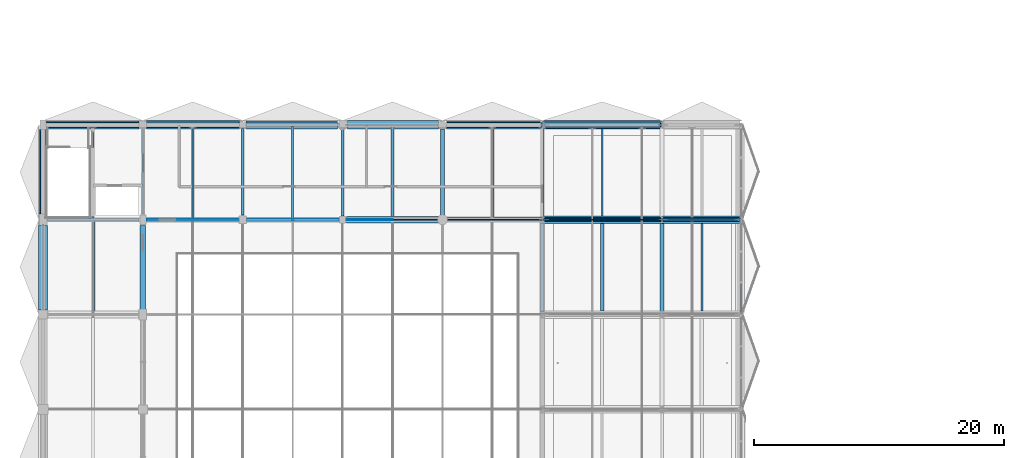
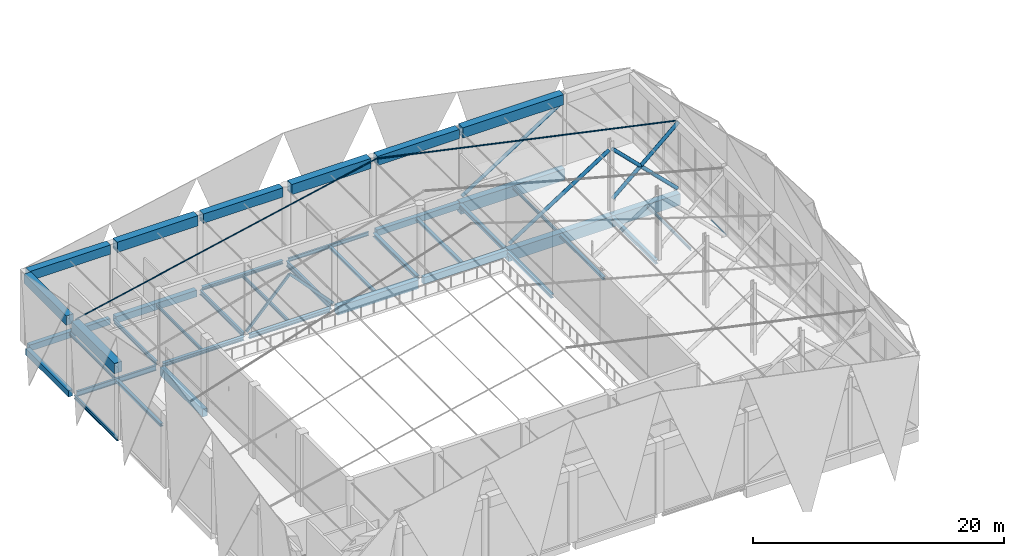
# One storey, part 11 of 46: 40 beams, 9 members, 1 element without a shape of its own.
"""IFC4 building model written with IfcOpenShell, lengths in metres."""

from ifc_helpers import new_model, si_unit, direction, frame, origin, origin_2d, place, context, subcontext, project, spatial, rectangle, hollow_rectangle, circle, hollow_circle, i_section, extrude, material, material_profile, profile_set, type_object, element, aggregate, save


model = new_model("IFC4")

# Units and contexts
model_context = context("Model", 3, precision=1e-05, world=origin(), true_north=direction((0.0, 1.0)))
body_context = subcontext(model_context, "Body", "Model", "MODEL_VIEW")
ifc_project = project(units=[si_unit("LENGTHUNIT", "METRE"), si_unit("AREAUNIT", "SQUARE_METRE"), si_unit("VOLUMEUNIT", "CUBIC_METRE"), si_unit("PLANEANGLEUNIT", "RADIAN"), si_unit("MASSUNIT", "GRAM", prefix="KILO")], contexts=[model_context])

# Site, building, storey
site_placement = place(None, origin())
site = spatial("IfcSite", under=ifc_project, at=site_placement, CompositionType="ELEMENT")
building_placement = place(site_placement, origin())
building = spatial("IfcBuilding", under=site, at=building_placement, Name="Khelvaren Railside Concert Hall", CompositionType="ELEMENT")
storey_placement = place(building_placement, frame((0.0, 0.0, 19.800048828125)))
storey = spatial("IfcBuildingStorey", under=building, at=storey_placement, Name="L04", CompositionType="ELEMENT", Elevation=19.800048828125)

# Beams
ifc_material_1 = material(Name="Steel S355", Category="steel")
ifc_material_profile_1 = material_profile(ifc_material_1, i_section(OverallWidth=0.300048828125, OverallDepth=0.389892578125, WebThickness=0.010986328125, FlangeThickness=0.01904296875, FilletRadius=0.027099609375, at=origin_2d()), Name="HEA 400")
ifc_profile_set_1 = profile_set([ifc_material_profile_1], Name="Steel S355")
beam_type_1 = type_object("IfcBeamType", Name="BM23", PredefinedType="BEAM", material=ifc_profile_set_1)
beam_1_placement = place(storey_placement, frame((16.25, 38.0, -0.465087890625), z_axis=(1.0, 0.0, 0.0), x_axis=(0.0, 1.0, 0.0)))
element("IfcBeam", 1, at=beam_1_placement, inside=storey, type_object=beam_type_1, Name="V1 L04 Beam X6.3", PredefinedType="BEAM", context=body_context, shape_type="SweptSolid", body=[
    extrude(i_section(OverallWidth=0.300048828125, OverallDepth=0.389892578125, WebThickness=0.010986328125, FlangeThickness=0.01904296875, FilletRadius=0.027099609375, at=origin_2d()), origin(), (0.0, 0.0, 1.0), 7.449951171875),
])
for number, where, z_axis, x_axis, name in (
    (2, (40.0, 38.25, -0.465087890625), (0.0, 1.0, 0.0), (-1.0, 0.0, 0.0), "V1 L04 Beam Y6.6"),
    (3, (49.60009765625, 30.64990234375, -0.465087890625), (0.0, 1.0, 0.0), (-1.0, 0.0, 0.0), "V1 L04 Beam Y7.5"),
):
    element("IfcBeam", number, at=place(storey_placement, frame(where, z_axis=z_axis, x_axis=x_axis)), inside=storey, type_object=beam_type_1, Name=name, PredefinedType="BEAM", context=body_context, shape_type="SweptSolid", body=[
        extrude(i_section(OverallWidth=0.300048828125, OverallDepth=0.389892578125, WebThickness=0.010986328125, FlangeThickness=0.01904296875, FilletRadius=0.027099609375, at=origin_2d()), origin(), (0.0, 0.0, 1.0), 7.10009765625),
    ])
ifc_material_profile_2 = material_profile(ifc_material_1, i_section(OverallWidth=0.179931640625, OverallDepth=0.39990234375, WebThickness=0.008544921875, FlangeThickness=0.013427734375, FilletRadius=0.02099609375, at=origin_2d()), Name="IPE 400")
ifc_profile_set_2 = profile_set([ifc_material_profile_2], Name="Steel S355")
beam_type_2 = type_object("IfcBeamType", Name="BM29", PredefinedType="BEAM", material=ifc_profile_set_2)
beam_2_placement = place(storey_placement, frame((8.0, 38.449951171875, -0.469970703125), z_axis=(0.0, 1.0, 0.0), x_axis=(-1.0, 0.0, 0.0)))
element("IfcBeam", 4, at=beam_2_placement, inside=storey, type_object=beam_type_2, Name="V1 L04 Beam Y2.6", PredefinedType="BEAM", context=body_context, shape_type="SweptSolid", body=[
    extrude(i_section(OverallWidth=0.179931640625, OverallDepth=0.39990234375, WebThickness=0.008544921875, FlangeThickness=0.013427734375, FilletRadius=0.02099609375, at=origin_2d()), origin(), (0.0, 0.0, 1.0), 6.775146484375),
])
ifc_material_2 = material(Name="Concrete C40/50", Category="concrete")
ifc_material_profile_3 = material_profile(ifc_material_2, rectangle(XDim=0.39990234375, YDim=0.64990234375, at=origin_2d()), Name="RCB 400x650")
ifc_profile_set_3 = profile_set([ifc_material_profile_3], Name="Concrete C40/50")
beam_type_3 = type_object("IfcBeamType", Name="BM33", PredefinedType="BEAM", material=ifc_profile_set_3)
beam_3_placement = place(storey_placement, frame((32.25, 38.0, -0.594970703125), z_axis=(1.0, 0.0, 0.0), x_axis=(0.0, 1.0, 0.0)))
element("IfcBeam", 5, at=beam_3_placement, inside=storey, type_object=beam_type_3, Name="V1 L04 Beam X6.5", PredefinedType="BEAM", context=body_context, shape_type="SweptSolid", body=[
    extrude(rectangle(XDim=0.39990234375, YDim=0.64990234375, at=origin_2d()), origin(), (0.0, 0.0, 1.0), 7.739990234375),
])
ifc_material_profile_4 = material_profile(ifc_material_1, i_section(OverallWidth=0.199951171875, OverallDepth=0.5, WebThickness=0.01025390625, FlangeThickness=0.01611328125, FilletRadius=0.02099609375, at=origin_2d()), Name="IPE 500")
ifc_profile_set_4 = profile_set([ifc_material_profile_4], Name="Steel S355")
beam_type_4 = type_object("IfcBeamType", Name="BM62", PredefinedType="BEAM", material=ifc_profile_set_4)
beam_4_placement = place(storey_placement, frame((0.35009765625, 38.0, -0.52001953125), z_axis=(1.0, 0.0, 0.0), x_axis=(0.0, 1.0, 0.0)))
element("IfcBeam", 6, at=beam_4_placement, inside=storey, type_object=beam_type_4, Name="V1 L04 Beam X6.1", PredefinedType="BEAM", context=body_context, shape_type="SweptSolid", body=[
    extrude(i_section(OverallWidth=0.199951171875, OverallDepth=0.5, WebThickness=0.01025390625, FlangeThickness=0.01611328125, FilletRadius=0.02099609375, at=origin_2d()), origin(), (0.0, 0.0, 1.0), 7.349853515625),
])
beam_5_placement = place(storey_placement, frame((24.0, 38.300048828125, -0.52001953125), z_axis=(0.0, 1.0, 0.0), x_axis=(-1.0, 0.0, 0.0)))
element("IfcBeam", 7, at=beam_5_placement, inside=storey, type_object=beam_type_4, Name="V1 L04 Beam Y4.6", PredefinedType="BEAM", context=body_context, shape_type="SweptSolid", body=[
    extrude(i_section(OverallWidth=0.199951171875, OverallDepth=0.5, WebThickness=0.01025390625, FlangeThickness=0.01611328125, FilletRadius=0.02099609375, at=origin_2d()), origin(), (0.0, 0.0, 1.0), 7.050048828125),
])
ifc_material_profile_5 = material_profile(ifc_material_1, i_section(OverallWidth=0.300048828125, OverallDepth=0.35009765625, WebThickness=0.010009765625, FlangeThickness=0.017578125, FilletRadius=0.027099609375, at=origin_2d()), Name="HEA 360")
ifc_profile_set_5 = profile_set([ifc_material_profile_5], Name="Steel S355")
beam_type_5 = type_object("IfcBeamType", Name="BM73", PredefinedType="BEAM", material=ifc_profile_set_5)
beam_6_placement = place(storey_placement, frame((8.300048828125, 38.0, -0.445068359375), z_axis=(1.0, 0.0, 0.0), x_axis=(0.0, 1.0, 0.0)))
element("IfcBeam", 8, at=beam_6_placement, inside=storey, type_object=beam_type_5, Name="V1 L04 Beam X6.2", PredefinedType="BEAM", context=body_context, shape_type="SweptSolid", body=[
    extrude(i_section(OverallWidth=0.300048828125, OverallDepth=0.35009765625, WebThickness=0.010009765625, FlangeThickness=0.017578125, FilletRadius=0.027099609375, at=origin_2d()), origin(), (0.0, 0.0, 1.0), 7.449951171875),
])
beam_7_placement = place(storey_placement, frame((32.0, 38.25, -0.445068359375), z_axis=(0.0, 1.0, 0.0), x_axis=(-1.0, 0.0, 0.0)))
element("IfcBeam", 9, at=beam_7_placement, inside=storey, type_object=beam_type_5, Name="V1 L04 Beam Y5.6", PredefinedType="BEAM", context=body_context, shape_type="SweptSolid", body=[
    extrude(i_section(OverallWidth=0.300048828125, OverallDepth=0.35009765625, WebThickness=0.010009765625, FlangeThickness=0.017578125, FilletRadius=0.027099609375, at=origin_2d()), origin(), (0.0, 0.0, 1.0), 7.013916015625),
])
beam_8_placement = place(storey_placement, frame((40.0, 30.64990234375, -0.445068359375), z_axis=(0.0, 1.0, 0.0), x_axis=(-1.0, 0.0, 0.0)))
element("IfcBeam", 10, at=beam_8_placement, inside=storey, type_object=beam_type_5, Name="V1 L04 Beam Y6.5", PredefinedType="BEAM", context=body_context, shape_type="SweptSolid", body=[
    extrude(i_section(OverallWidth=0.300048828125, OverallDepth=0.35009765625, WebThickness=0.010009765625, FlangeThickness=0.017578125, FilletRadius=0.027099609375, at=origin_2d()), origin(), (0.0, 0.0, 1.0), 7.10009765625),
])
ifc_material_profile_6 = material_profile(ifc_material_2, rectangle(XDim=0.449951171875, YDim=0.75, at=origin_2d()), Name="RCB 450x750")
ifc_profile_set_6 = profile_set([ifc_material_profile_6], Name="Concrete C40/50")
beam_type_6 = type_object("IfcBeamType", Name="BM83", PredefinedType="BEAM", material=ifc_profile_set_6)
beam_9_placement = place(storey_placement, frame((8.0, 30.75, -0.64501953125), z_axis=(0.0, 1.0, 0.0), x_axis=(-1.0, 0.0, 0.0)))
element("IfcBeam", 11, at=beam_9_placement, inside=storey, type_object=beam_type_6, Name="V1 L04 Beam Y2.5", PredefinedType="BEAM", context=body_context, shape_type="SweptSolid", body=[
    extrude(rectangle(XDim=0.449951171875, YDim=0.75, at=origin_2d()), origin(), (0.0, 0.0, 1.0), 6.800048828125),
])
ifc_material_profile_7 = material_profile(ifc_material_1, i_section(OverallWidth=0.18994140625, OverallDepth=0.449951171875, WebThickness=0.009521484375, FlangeThickness=0.0146484375, FilletRadius=0.02099609375, at=origin_2d()), Name="IPE 450")
ifc_profile_set_7 = profile_set([ifc_material_profile_7], Name="Steel S355")
beam_type_7 = type_object("IfcBeamType", Name="BM95", PredefinedType="BEAM", material=ifc_profile_set_7)
beam_10_placement = place(storey_placement, frame((16.0, 38.375, -0.4951171875), z_axis=(0.0, 1.0, 0.0), x_axis=(-1.0, 0.0, 0.0)))
element("IfcBeam", 12, at=beam_10_placement, inside=storey, type_object=beam_type_7, Name="V1 L04 Beam Y3.6", PredefinedType="BEAM", context=body_context, shape_type="SweptSolid", body=[
    extrude(i_section(OverallWidth=0.18994140625, OverallDepth=0.449951171875, WebThickness=0.009521484375, FlangeThickness=0.0146484375, FilletRadius=0.02099609375, at=origin_2d()), origin(), (0.0, 0.0, 1.0), 6.925048828125),
])

# Members
ifc_material_profile_8 = material_profile(ifc_material_1, hollow_rectangle(XDim=0.14990234375, YDim=0.25, WallThickness=0.012451171875, InnerFilletRadius=0.012451171875, OuterFilletRadius=0.01904296875, at=origin_2d()), Name="RHS 250x150x12.5")
ifc_profile_set_8 = profile_set([ifc_material_profile_8], Name="Steel S355")
member_type_1 = type_object("IfcMemberType", Name="BR52", PredefinedType="BRACE", material=ifc_profile_set_8)
for number, where, z_axis, x_axis, name in (
    (13, (16.0, 38.0, 0.050048828125), (0.686221263148, 0.0, 0.727392863592), (0.0, 1.0, 0.0), "V1 L04 Seismic Chevron Brace 39"),
    (14, (24.0, 38.0, 0.050048828125), (-0.686221263148, 0.0, 0.727392863592), (0.0, -1.0, 0.0), "V1 L04 Seismic Chevron Brace 40"),
):
    element("IfcMember", number, at=place(storey_placement, frame(where, z_axis=z_axis, x_axis=x_axis)), inside=storey, type_object=member_type_1, Name=name, PredefinedType="BRACE", context=body_context, shape_type="SweptSolid", body=[
        extrude(hollow_rectangle(XDim=0.14990234375, YDim=0.25, WallThickness=0.012451171875, InnerFilletRadius=0.012451171875, OuterFilletRadius=0.01904296875, at=origin_2d()), origin(), (0.0, 0.0, 1.0), 5.8291015625),
    ])
ifc_material_profile_9 = material_profile(ifc_material_1, hollow_circle(Radius=0.161865234375, WallThickness=0.01611328125, at=origin_2d()), Name="CHS 323.9x16")
ifc_profile_set_9 = profile_set([ifc_material_profile_9], Name="Steel S355")
member_type_2 = type_object("IfcMemberType", Name="BR78", PredefinedType="BRACE", material=ifc_profile_set_9)
member_1_placement = place(storey_placement, frame((49.75, 38.0, 6.050048828125), z_axis=(0.710072403589, 0.0, -0.704128668399), x_axis=(0.0, 1.0, 0.0)))
element("IfcMember", 15, at=member_1_placement, inside=storey, type_object=member_type_2, Name="V1 L04 Plaza Cantilever Truss Diagonal 6A", PredefinedType="BRACE", context=body_context, shape_type="SweptSolid", body=[
    extrude(hollow_circle(Radius=0.161865234375, WallThickness=0.01611328125, at=origin_2d()), origin(), (0.0, 0.0, 1.0), 8.37939453125),
])
for number, where, z_axis, x_axis, name in (
    (16, (40.25, 38.0, 0.14990234375), (0.841765139868, 0.0, 0.539843911981), (0.0, 1.0, 0.0), "V1 L04 Plaza Cantilever Truss Backspan Diagonal 6B"),
    (17, (40.25, 45.60009765625, 0.14990234375), (0.841765139868, 0.0, 0.539843911981), (0.0, 1.0, 0.0), "V1 L04 Plaza Cantilever Truss Backspan Diagonal 7B"),
):
    element("IfcMember", number, at=place(storey_placement, frame(where, z_axis=z_axis, x_axis=x_axis)), inside=storey, type_object=member_type_2, Name=name, PredefinedType="BRACE", context=body_context, shape_type="SweptSolid", body=[
        extrude(hollow_circle(Radius=0.161865234375, WallThickness=0.01611328125, at=origin_2d()), origin(), (0.0, 0.0, 1.0), 10.929443359375),
    ])

# Curtain wall, member
ifc_material_3 = material(Name="Double-glazed clear foyer glass", Category="glass")
curtain_wall_type = type_object("IfcCurtainWallType", Name="CW68", PredefinedType="USERDEFINED", material=ifc_material_3)
curtain_wall_placement = place(storey_placement, origin())
curtain_wall = element("IfcCurtainWall", 18, at=curtain_wall_placement, inside=storey, type_object=curtain_wall_type, Name="Unitised Curtain Wall CW-V1-L04-E-30", ObjectType="UNITISED CURTAIN WALL", PredefinedType="USERDEFINED")
ifc_material_4 = material(Name="Anodised architectural aluminium 6063-T6", Category="aluminium")
ifc_material_profile_10 = material_profile(ifc_material_4, hollow_rectangle(XDim=0.06494140625, YDim=0.139892578125, WallThickness=0.00390625, InnerFilletRadius=0.001953125, OuterFilletRadius=0.00390625, at=origin_2d()), Name="CWT 65x140x4")
ifc_profile_set_10 = profile_set([ifc_material_profile_10], Name="Anodised architectural aluminium 6063-T6")
member_type_3 = type_object("IfcMemberType", Name="CWT72", PredefinedType="USERDEFINED", material=ifc_profile_set_10)
member_2_placement = place(storey_placement, frame((55.93994140625, 32.9091796875, 0.032470703125), z_axis=(0.0, -1.0, 0.0), x_axis=(1.0, 0.0, 0.0)))
member_2 = element("IfcMember", 19, at=member_2_placement, type_object=member_type_3, Name="CW68 transom 3.1", ObjectType="TRANSOM", PredefinedType="USERDEFINED", context=body_context, shape_type="SweptSolid", body=[
    extrude(hollow_rectangle(XDim=0.06494140625, YDim=0.139892578125, WallThickness=0.00390625, InnerFilletRadius=0.001953125, OuterFilletRadius=0.00390625, at=origin_2d()), origin(), (0.0, 0.0, 1.0), 2.394287109375),
])
aggregate(curtain_wall, [member_2])

# Beams
ifc_material_profile_11 = material_profile(ifc_material_2, rectangle(XDim=0.60009765625, YDim=1.10009765625, at=origin_2d()), Name="RCB 600x1100")
ifc_profile_set_11 = profile_set([ifc_material_profile_11], Name="Concrete C40/50")
beam_type_8 = type_object("IfcBeamType", Name="GR15", PredefinedType="T_BEAM", material=ifc_profile_set_11)
beam_11_placement = place(storey_placement, frame((40.010009765625, 38.0, -0.820068359375), z_axis=(1.0, 0.0, 0.0), x_axis=(0.0, 1.0, 0.0)))
element("IfcBeam", 20, at=beam_11_placement, inside=storey, type_object=beam_type_8, Name="V1 L04 Cantilever Backspan Girder 6", PredefinedType="T_BEAM", context=body_context, shape_type="SweptSolid", body=[
    extrude(rectangle(XDim=0.60009765625, YDim=1.10009765625, at=origin_2d()), origin(), (0.0, 0.0, 1.0), 9.580078125),
])
beam_12_placement = place(storey_placement, frame((49.610107421875, 38.0, -0.820068359375), z_axis=(1.0, 0.0, 0.0), x_axis=(0.0, 1.0, 0.0)))
element("IfcBeam", 21, at=beam_12_placement, inside=storey, type_object=beam_type_8, Name="V1 L04 Arrival Cantilever Girder 6", PredefinedType="T_BEAM", context=body_context, shape_type="SweptSolid", body=[
    extrude(rectangle(XDim=0.60009765625, YDim=1.10009765625, at=origin_2d()), origin(), (0.0, 0.0, 1.0), 6.239990234375),
])
beam_13_placement = place(storey_placement, frame((40.010009765625, 45.60009765625, -0.820068359375), z_axis=(1.0, 0.0, 0.0), x_axis=(0.0, 1.0, 0.0)))
element("IfcBeam", 22, at=beam_13_placement, inside=storey, type_object=beam_type_8, Name="V1 L04 Cantilever Backspan Girder 7", PredefinedType="T_BEAM", context=body_context, shape_type="SweptSolid", body=[
    extrude(rectangle(XDim=0.60009765625, YDim=1.10009765625, at=origin_2d()), origin(), (0.0, 0.0, 1.0), 9.580078125),
])
ifc_material_profile_12 = material_profile(ifc_material_2, rectangle(XDim=0.5, YDim=0.85009765625, at=origin_2d()), Name="RCB 500x850")
ifc_profile_set_12 = profile_set([ifc_material_profile_12], Name="Concrete C40/50")
beam_type_9 = type_object("IfcBeamType", Name="GR96", PredefinedType="T_BEAM", material=ifc_profile_set_12)
beam_14_placement = place(storey_placement, frame((24.300048828125, 38.0, -0.695068359375), z_axis=(1.0, 0.0, 0.0), x_axis=(0.0, 1.0, 0.0)))
element("IfcBeam", 23, at=beam_14_placement, inside=storey, type_object=beam_type_9, Name="V1 L04 T_Beam X6.4", PredefinedType="T_BEAM", context=body_context, shape_type="SweptSolid", body=[
    extrude(rectangle(XDim=0.5, YDim=0.85009765625, at=origin_2d()), origin(), (0.0, 0.0, 1.0), 7.449951171875),
])
ifc_material_profile_13 = material_profile(ifc_material_1, i_section(OverallWidth=0.14990234375, OverallDepth=0.300048828125, WebThickness=0.007080078125, FlangeThickness=0.0107421875, FilletRadius=0.014892578125, at=origin_2d()), Name="IPE 300")
ifc_profile_set_13 = profile_set([ifc_material_profile_13], Name="Steel S355")
beam_type_10 = type_object("IfcBeamType", Name="JS26", PredefinedType="JOIST", material=ifc_profile_set_13)
beam_15_placement = place(storey_placement, frame((12.0, 38.14990234375, -0.420166015625), z_axis=(0.0, 1.0, 0.0), x_axis=(-1.0, 0.0, 0.0)))
element("IfcBeam", 24, at=beam_15_placement, inside=storey, type_object=beam_type_10, Name="V1 L04 Secondary Joist 2.6", PredefinedType="JOIST", context=body_context, shape_type="SweptSolid", body=[
    extrude(i_section(OverallWidth=0.14990234375, OverallDepth=0.300048828125, WebThickness=0.007080078125, FlangeThickness=0.0107421875, FilletRadius=0.014892578125, at=origin_2d()), origin(), (0.0, 0.0, 1.0), 7.22509765625),
])
ifc_material_profile_14 = material_profile(ifc_material_1, i_section(OverallWidth=0.280029296875, OverallDepth=0.27001953125, WebThickness=0.008056640625, FlangeThickness=0.012939453125, FilletRadius=0.02392578125, at=origin_2d()), Name="HEA 280")
ifc_profile_set_14 = profile_set([ifc_material_profile_14], Name="Steel S355")
beam_type_11 = type_object("IfcBeamType", Name="JS46", PredefinedType="JOIST", material=ifc_profile_set_14)
beam_16_placement = place(storey_placement, frame((4.0, 30.675048828125, -0.405029296875), z_axis=(0.0, 1.0, 0.0), x_axis=(-1.0, 0.0, 0.0)))
element("IfcBeam", 25, at=beam_16_placement, inside=storey, type_object=beam_type_11, Name="V1 L04 Secondary Joist 1.5", PredefinedType="JOIST", context=body_context, shape_type="SweptSolid", body=[
    extrude(i_section(OverallWidth=0.280029296875, OverallDepth=0.27001953125, WebThickness=0.008056640625, FlangeThickness=0.012939453125, FilletRadius=0.02392578125, at=origin_2d()), origin(), (0.0, 0.0, 1.0), 7.224853515625),
])
beam_17_placement = place(storey_placement, frame((36.0, 38.199951171875, -0.405029296875), z_axis=(0.0, 1.0, 0.0), x_axis=(-1.0, 0.0, 0.0)))
element("IfcBeam", 26, at=beam_17_placement, inside=storey, type_object=beam_type_11, Name="V1 L04 Secondary Joist 5.6", PredefinedType="JOIST", context=body_context, shape_type="SweptSolid", body=[
    extrude(i_section(OverallWidth=0.280029296875, OverallDepth=0.27001953125, WebThickness=0.008056640625, FlangeThickness=0.012939453125, FilletRadius=0.02392578125, at=origin_2d()), origin(), (0.0, 0.0, 1.0), 7.199951171875),
])
beam_18_placement = place(storey_placement, frame((44.800048828125, 30.699951171875, -0.405029296875), z_axis=(0.0, 1.0, 0.0), x_axis=(-1.0, 0.0, 0.0)))
element("IfcBeam", 27, at=beam_18_placement, inside=storey, type_object=beam_type_11, Name="V1 L04 Secondary Joist 6.5", PredefinedType="JOIST", context=body_context, shape_type="SweptSolid", body=[
    extrude(i_section(OverallWidth=0.280029296875, OverallDepth=0.27001953125, WebThickness=0.008056640625, FlangeThickness=0.012939453125, FilletRadius=0.02392578125, at=origin_2d()), origin(), (0.0, 0.0, 1.0), 7.0),
])
ifc_material_profile_15 = material_profile(ifc_material_1, i_section(OverallWidth=0.159912109375, OverallDepth=0.330078125, WebThickness=0.007568359375, FlangeThickness=0.011474609375, FilletRadius=0.01806640625, at=origin_2d()), Name="IPE 330")
ifc_profile_set_15 = profile_set([ifc_material_profile_15], Name="Steel S355")
beam_type_12 = type_object("IfcBeamType", Name="JS65", PredefinedType="JOIST", material=ifc_profile_set_15)
beam_19_placement = place(storey_placement, frame((20.0, 38.14990234375, -0.43505859375), z_axis=(0.0, 1.0, 0.0), x_axis=(-1.0, 0.0, 0.0)))
element("IfcBeam", 28, at=beam_19_placement, inside=storey, type_object=beam_type_12, Name="V1 L04 Secondary Joist 3.6", PredefinedType="JOIST", context=body_context, shape_type="SweptSolid", body=[
    extrude(i_section(OverallWidth=0.159912109375, OverallDepth=0.330078125, WebThickness=0.007568359375, FlangeThickness=0.011474609375, FilletRadius=0.01806640625, at=origin_2d()), origin(), (0.0, 0.0, 1.0), 7.300048828125),
])
ifc_material_profile_16 = material_profile(ifc_material_1, i_section(OverallWidth=0.239990234375, OverallDepth=0.22998046875, WebThickness=0.007568359375, FlangeThickness=0.011962890625, FilletRadius=0.02099609375, at=origin_2d()), Name="HEA 240")
ifc_profile_set_16 = profile_set([ifc_material_profile_16], Name="Steel S355")
beam_type_13 = type_object("IfcBeamType", Name="JS76", PredefinedType="JOIST", material=ifc_profile_set_16)
beam_20_placement = place(storey_placement, frame((28.0, 38.25, -0.385009765625), z_axis=(0.0, 1.0, 0.0), x_axis=(-1.0, 0.0, 0.0)))
element("IfcBeam", 29, at=beam_20_placement, inside=storey, type_object=beam_type_13, Name="V1 L04 Secondary Joist 4.6", PredefinedType="JOIST", context=body_context, shape_type="SweptSolid", body=[
    extrude(i_section(OverallWidth=0.239990234375, OverallDepth=0.22998046875, WebThickness=0.007568359375, FlangeThickness=0.011962890625, FilletRadius=0.02099609375, at=origin_2d()), origin(), (0.0, 0.0, 1.0), 7.264892578125),
])
ifc_material_profile_17 = material_profile(ifc_material_1, i_section(OverallWidth=0.135009765625, OverallDepth=0.27001953125, WebThickness=0.006591796875, FlangeThickness=0.01025390625, FilletRadius=0.014892578125, at=origin_2d()), Name="IPE 270")
ifc_profile_set_17 = profile_set([ifc_material_profile_17], Name="Steel S355")
beam_type_14 = type_object("IfcBeamType", Name="JS78", PredefinedType="JOIST", material=ifc_profile_set_17)
beam_21_placement = place(storey_placement, frame((4.0, 38.10009765625, -0.405029296875), z_axis=(0.0, 1.0, 0.0), x_axis=(-1.0, 0.0, 0.0)))
element("IfcBeam", 30, at=beam_21_placement, inside=storey, type_object=beam_type_14, Name="V1 L04 Secondary Joist 1.6", PredefinedType="JOIST", context=body_context, shape_type="SweptSolid", body=[
    extrude(i_section(OverallWidth=0.135009765625, OverallDepth=0.27001953125, WebThickness=0.006591796875, FlangeThickness=0.01025390625, FilletRadius=0.014892578125, at=origin_2d()), origin(), (0.0, 0.0, 1.0), 7.2998046875),
])
for number, where, z_axis, x_axis, name in (
    (31, (44.800048828125, 38.300048828125, -0.405029296875), (0.0, 1.0, 0.0), (-1.0, 0.0, 0.0), "V1 L04 Secondary Joist 6.6"),
    (32, (52.800048828125, 30.699951171875, -0.405029296875), (0.0, 1.0, 0.0), (-1.0, 0.0, 0.0), "V1 L04 Secondary Joist 7.5"),
):
    element("IfcBeam", number, at=place(storey_placement, frame(where, z_axis=z_axis, x_axis=x_axis)), inside=storey, type_object=beam_type_14, Name=name, PredefinedType="JOIST", context=body_context, shape_type="SweptSolid", body=[
        extrude(i_section(OverallWidth=0.135009765625, OverallDepth=0.27001953125, WebThickness=0.006591796875, FlangeThickness=0.01025390625, FilletRadius=0.014892578125, at=origin_2d()), origin(), (0.0, 0.0, 1.0), 7.0),
    ])
ifc_material_profile_18 = material_profile(ifc_material_2, rectangle(XDim=0.699951171875, YDim=1.0, at=origin_2d()), Name="RCB 700x1000")
ifc_profile_set_18 = profile_set([ifc_material_profile_18], Name="Concrete C40/50")
beam_type_15 = type_object("IfcBeamType", Name="RB80", PredefinedType="USERDEFINED", material=ifc_profile_set_18)
beam_22_placement = place(storey_placement, frame((8.300048828125, 45.60009765625, 6.550048828125), z_axis=(1.0, 0.0, 0.0), x_axis=(0.0, 1.0, 0.0)))
element("IfcBeam", 33, at=beam_22_placement, inside=storey, type_object=beam_type_15, Name="Main Hall Compression Ring Beam 9", ObjectType="RING BEAM", PredefinedType="USERDEFINED", context=body_context, shape_type="SweptSolid", body=[
    extrude(rectangle(XDim=0.699951171875, YDim=1.0, at=origin_2d()), origin(), (0.0, 0.0, 1.0), 7.449951171875),
])
beam_23_placement = place(storey_placement, frame((24.39990234375, 45.60009765625, 6.550048828125), z_axis=(1.0, 0.0, 0.0), x_axis=(0.0, 1.0, 0.0)))
element("IfcBeam", 34, at=beam_23_placement, inside=storey, type_object=beam_type_15, Name="Main Hall Compression Ring Beam 11", ObjectType="RING BEAM", PredefinedType="USERDEFINED", context=body_context, shape_type="SweptSolid", body=[
    extrude(rectangle(XDim=0.699951171875, YDim=1.0, at=origin_2d()), origin(), (0.0, 0.0, 1.0), 7.275146484375),
])
beam_24_placement = place(storey_placement, frame((40.14990234375, 45.60009765625, 6.550048828125), z_axis=(1.0, 0.0, 0.0), x_axis=(0.0, 1.0, 0.0)))
element("IfcBeam", 35, at=beam_24_placement, inside=storey, type_object=beam_type_15, Name="Main Hall Compression Ring Beam 13", ObjectType="RING BEAM", PredefinedType="USERDEFINED", context=body_context, shape_type="SweptSolid", body=[
    extrude(rectangle(XDim=0.699951171875, YDim=1.0, at=origin_2d()), origin(), (0.0, 0.0, 1.0), 9.300048828125),
])
beam_25_placement = place(storey_placement, frame((0.0, 30.75, 6.550048828125), z_axis=(0.0, 1.0, 0.0), x_axis=(-1.0, 0.0, 0.0)))
element("IfcBeam", 36, at=beam_25_placement, inside=storey, type_object=beam_type_15, Name="Main Hall Compression Ring Beam 19", ObjectType="RING BEAM", PredefinedType="USERDEFINED", context=body_context, shape_type="SweptSolid", body=[
    extrude(rectangle(XDim=0.699951171875, YDim=1.0, at=origin_2d()), origin(), (0.0, 0.0, 1.0), 6.800048828125),
])
ifc_material_profile_19 = material_profile(ifc_material_2, rectangle(XDim=0.64990234375, YDim=0.89990234375, at=origin_2d()), Name="RCB 650x900")
ifc_profile_set_19 = profile_set([ifc_material_profile_19], Name="Concrete C40/50")
beam_type_16 = type_object("IfcBeamType", Name="RB88", PredefinedType="USERDEFINED", material=ifc_profile_set_19)
beam_26_placement = place(storey_placement, frame((0.25, 45.60009765625, 6.550048828125), z_axis=(1.0, 0.0, 0.0), x_axis=(0.0, 1.0, 0.0)))
element("IfcBeam", 37, at=beam_26_placement, inside=storey, type_object=beam_type_16, Name="Main Hall Compression Ring Beam 8", ObjectType="RING BEAM", PredefinedType="USERDEFINED", context=body_context, shape_type="SweptSolid", body=[
    extrude(rectangle(XDim=0.64990234375, YDim=0.89990234375, at=origin_2d()), origin(), (0.0, 0.0, 1.0), 7.449951171875),
])
beam_27_placement = place(storey_placement, frame((16.25, 45.60009765625, 6.550048828125), z_axis=(1.0, 0.0, 0.0), x_axis=(0.0, 1.0, 0.0)))
element("IfcBeam", 38, at=beam_27_placement, inside=storey, type_object=beam_type_16, Name="Main Hall Compression Ring Beam 10", ObjectType="RING BEAM", PredefinedType="USERDEFINED", context=body_context, shape_type="SweptSolid", body=[
    extrude(rectangle(XDim=0.64990234375, YDim=0.89990234375, at=origin_2d()), origin(), (0.0, 0.0, 1.0), 7.35009765625),
])
beam_28_placement = place(storey_placement, frame((32.324951171875, 45.60009765625, 6.550048828125), z_axis=(1.0, 0.0, 0.0), x_axis=(0.0, 1.0, 0.0)))
element("IfcBeam", 39, at=beam_28_placement, inside=storey, type_object=beam_type_16, Name="Main Hall Compression Ring Beam 12", ObjectType="RING BEAM", PredefinedType="USERDEFINED", context=body_context, shape_type="SweptSolid", body=[
    extrude(rectangle(XDim=0.64990234375, YDim=0.89990234375, at=origin_2d()), origin(), (0.0, 0.0, 1.0), 7.525146484375),
])
beam_29_placement = place(storey_placement, frame((0.0, 38.449951171875, 6.550048828125), z_axis=(0.0, 1.0, 0.0), x_axis=(-1.0, 0.0, 0.0)))
element("IfcBeam", 40, at=beam_29_placement, inside=storey, type_object=beam_type_16, Name="Main Hall Compression Ring Beam 20", ObjectType="RING BEAM", PredefinedType="USERDEFINED", context=body_context, shape_type="SweptSolid", body=[
    extrude(rectangle(XDim=0.64990234375, YDim=0.89990234375, at=origin_2d()), origin(), (0.0, 0.0, 1.0), 6.775146484375),
])

# Member
ifc_material_profile_20 = material_profile(ifc_material_1, hollow_circle(Radius=0.161865234375, WallThickness=0.01611328125, at=origin_2d()), Name="CHS 323.9x16")
ifc_profile_set_20 = profile_set([ifc_material_profile_20], Name="Steel S355")
member_type_4 = type_object("IfcMemberType", Name="RSU41", PredefinedType="STRUT", material=ifc_profile_set_20)
member_3_placement = place(storey_placement, frame((49.75, 38.0, 1.199951171875), z_axis=(0.75181197221, 0.0, 0.65937755379), x_axis=(0.0, 1.0, 0.0)))
element("IfcMember", 41, at=member_3_placement, inside=storey, type_object=member_type_4, Name="Main Hall East Cantilever Ring Strut 6", PredefinedType="STRUT", context=body_context, shape_type="SweptSolid", body=[
    extrude(hollow_circle(Radius=0.161865234375, WallThickness=0.01611328125, at=origin_2d()), origin(), (0.0, 0.0, 1.0), 8.11376953125),
])

# Beams
ifc_material_profile_21 = material_profile(ifc_material_2, rectangle(XDim=0.449951171875, YDim=0.64990234375, at=origin_2d()), Name="RCB 450x650")
ifc_profile_set_21 = profile_set([ifc_material_profile_21], Name="Concrete C40/50")
beam_type_17 = type_object("IfcBeamType", Name="SP34", PredefinedType="SPANDREL", material=ifc_profile_set_21)
beam_30_placement = place(storey_placement, frame((8.25, 45.60009765625, -0.594970703125), z_axis=(1.0, 0.0, 0.0), x_axis=(0.0, 1.0, 0.0)))
element("IfcBeam", 42, at=beam_30_placement, inside=storey, type_object=beam_type_17, Name="V1 L04 Spandrel X7.2", PredefinedType="SPANDREL", context=body_context, shape_type="SweptSolid", body=[
    extrude(rectangle(XDim=0.449951171875, YDim=0.64990234375, at=origin_2d()), origin(), (0.0, 0.0, 1.0), 7.449951171875),
])
ifc_material_profile_22 = material_profile(ifc_material_1, i_section(OverallWidth=0.300048828125, OverallDepth=0.31005859375, WebThickness=0.009033203125, FlangeThickness=0.015380859375, FilletRadius=0.027099609375, at=origin_2d()), Name="HEA 320")
ifc_profile_set_22 = profile_set([ifc_material_profile_22], Name="Steel S355")
beam_type_18 = type_object("IfcBeamType", Name="SP66", PredefinedType="SPANDREL", material=ifc_profile_set_22)
beam_31_placement = place(storey_placement, frame((16.300048828125, 45.60009765625, -0.425048828125), z_axis=(1.0, 0.0, 0.0), x_axis=(0.0, 1.0, 0.0)))
element("IfcBeam", 43, at=beam_31_placement, inside=storey, type_object=beam_type_18, Name="V1 L04 Spandrel X7.3", PredefinedType="SPANDREL", context=body_context, shape_type="SweptSolid", body=[
    extrude(i_section(OverallWidth=0.300048828125, OverallDepth=0.31005859375, WebThickness=0.009033203125, FlangeThickness=0.015380859375, FilletRadius=0.027099609375, at=origin_2d()), origin(), (0.0, 0.0, 1.0), 7.449951171875),
])
ifc_material_profile_23 = material_profile(ifc_material_1, i_section(OverallWidth=0.169921875, OverallDepth=0.360107421875, WebThickness=0.008056640625, FlangeThickness=0.0126953125, FilletRadius=0.01806640625, at=origin_2d()), Name="IPE 360")
ifc_profile_set_23 = profile_set([ifc_material_profile_23], Name="Steel S355")
beam_type_19 = type_object("IfcBeamType", Name="SP74", PredefinedType="SPANDREL", material=ifc_profile_set_23)
beam_32_placement = place(storey_placement, frame((24.25, 45.60009765625, -0.449951171875), z_axis=(1.0, 0.0, 0.0), x_axis=(0.0, 1.0, 0.0)))
element("IfcBeam", 44, at=beam_32_placement, inside=storey, type_object=beam_type_19, Name="V1 L04 Spandrel X7.4", PredefinedType="SPANDREL", context=body_context, shape_type="SweptSolid", body=[
    extrude(i_section(OverallWidth=0.169921875, OverallDepth=0.360107421875, WebThickness=0.008056640625, FlangeThickness=0.0126953125, FilletRadius=0.01806640625, at=origin_2d()), origin(), (0.0, 0.0, 1.0), 7.4140625),
])
beam_33_placement = place(storey_placement, frame((0.0, 30.800048828125, -0.449951171875), z_axis=(0.0, 1.0, 0.0), x_axis=(-1.0, 0.0, 0.0)))
element("IfcBeam", 45, at=beam_33_placement, inside=storey, type_object=beam_type_19, Name="V1 L04 Spandrel Y1.5", PredefinedType="SPANDREL", context=body_context, shape_type="SweptSolid", body=[
    extrude(i_section(OverallWidth=0.169921875, OverallDepth=0.360107421875, WebThickness=0.008056640625, FlangeThickness=0.0126953125, FilletRadius=0.01806640625, at=origin_2d()), origin(), (0.0, 0.0, 1.0), 6.849853515625),
])
ifc_material_profile_24 = material_profile(ifc_material_2, rectangle(XDim=0.39990234375, YDim=0.60009765625, at=origin_2d()), Name="RCB 400x600")
ifc_profile_set_24 = profile_set([ifc_material_profile_24], Name="Concrete C40/50")
beam_type_20 = type_object("IfcBeamType", Name="SP75", PredefinedType="SPANDREL", material=ifc_profile_set_24)
beam_34_placement = place(storey_placement, frame((0.300048828125, 45.60009765625, -0.570068359375), z_axis=(1.0, 0.0, 0.0), x_axis=(0.0, 1.0, 0.0)))
element("IfcBeam", 46, at=beam_34_placement, inside=storey, type_object=beam_type_20, Name="V1 L04 Spandrel X7.1", PredefinedType="SPANDREL", context=body_context, shape_type="SweptSolid", body=[
    extrude(rectangle(XDim=0.39990234375, YDim=0.60009765625, at=origin_2d()), origin(), (0.0, 0.0, 1.0), 7.449951171875),
])
beam_35_placement = place(storey_placement, frame((32.3359375, 45.60009765625, -0.570068359375), z_axis=(1.0, 0.0, 0.0), x_axis=(0.0, 1.0, 0.0)))
element("IfcBeam", 47, at=beam_35_placement, inside=storey, type_object=beam_type_20, Name="V1 L04 Spandrel X7.5", PredefinedType="SPANDREL", context=body_context, shape_type="SweptSolid", body=[
    extrude(rectangle(XDim=0.39990234375, YDim=0.60009765625, at=origin_2d()), origin(), (0.0, 0.0, 1.0), 7.654052734375),
])
beam_36_placement = place(storey_placement, frame((0.0, 38.35009765625, -0.570068359375), z_axis=(0.0, 1.0, 0.0), x_axis=(-1.0, 0.0, 0.0)))
element("IfcBeam", 48, at=beam_36_placement, inside=storey, type_object=beam_type_20, Name="V1 L04 Spandrel Y1.6", PredefinedType="SPANDREL", context=body_context, shape_type="SweptSolid", body=[
    extrude(rectangle(XDim=0.39990234375, YDim=0.60009765625, at=origin_2d()), origin(), (0.0, 0.0, 1.0), 6.7998046875),
])

# Members
ifc_material_5 = material(Name="High-strength steel cable S460", Category="steel")
ifc_material_profile_25 = material_profile(ifc_material_5, circle(Radius=0.047607421875, at=origin_2d()), Name="LCB D95")
ifc_profile_set_25 = profile_set([ifc_material_profile_25], Name="High-strength steel cable S460")
member_type_5 = type_object("IfcMemberType", Name="TC16", PredefinedType="USERDEFINED", material=ifc_profile_set_25)
member_4_placement = place(storey_placement, frame((28.0, 38.0, 12.712158203125), z_axis=(0.977453873668, 0.0, -0.211149058371), x_axis=(0.0, 1.0, 0.0)))
element("IfcMember", 49, at=member_4_placement, inside=storey, type_object=member_type_5, Name="Main Hall Cable-Net Longitudinal Stay Cable 23", ObjectType="TENSION CABLE", PredefinedType="USERDEFINED", context=body_context, shape_type="SweptSolid", body=[
    extrude(circle(Radius=0.047607421875, at=origin_2d()), origin(), (0.0, 0.0, 1.0), 28.23681640625),
])
ifc_material_profile_26 = material_profile(ifc_material_5, circle(Radius=0.0400390625, at=origin_2d()), Name="LCB D80")
ifc_profile_set_26 = profile_set([ifc_material_profile_26], Name="High-strength steel cable S460")
member_type_6 = type_object("IfcMemberType", Name="TC51", PredefinedType="USERDEFINED", material=ifc_profile_set_26)
member_5_placement = place(storey_placement, frame((0.25, 38.0, 6.75), z_axis=(0.977688729807, 0.0, 0.210058914613), x_axis=(0.0, 1.0, 0.0)))
element("IfcMember", 50, at=member_5_placement, inside=storey, type_object=member_type_6, Name="Main Hall Cable-Net Longitudinal Stay Cable 22", ObjectType="TENSION CABLE", PredefinedType="USERDEFINED", context=body_context, shape_type="SweptSolid", body=[
    extrude(circle(Radius=0.0400390625, at=origin_2d()), origin(), (0.0, 0.0, 1.0), 28.38330078125),
])

save(model, "model.ifc")
